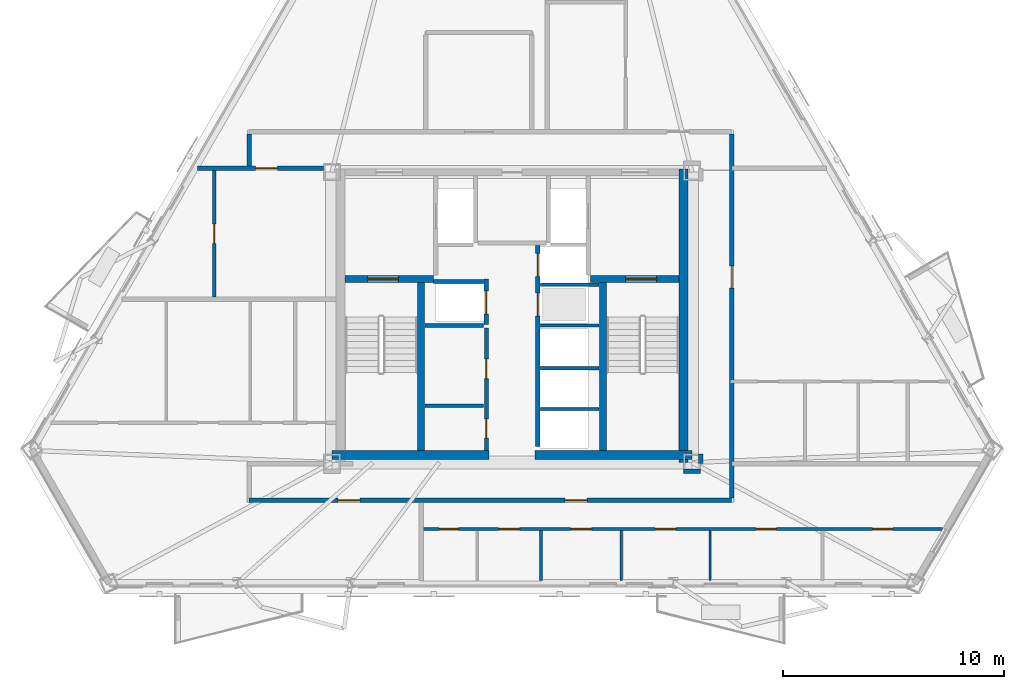
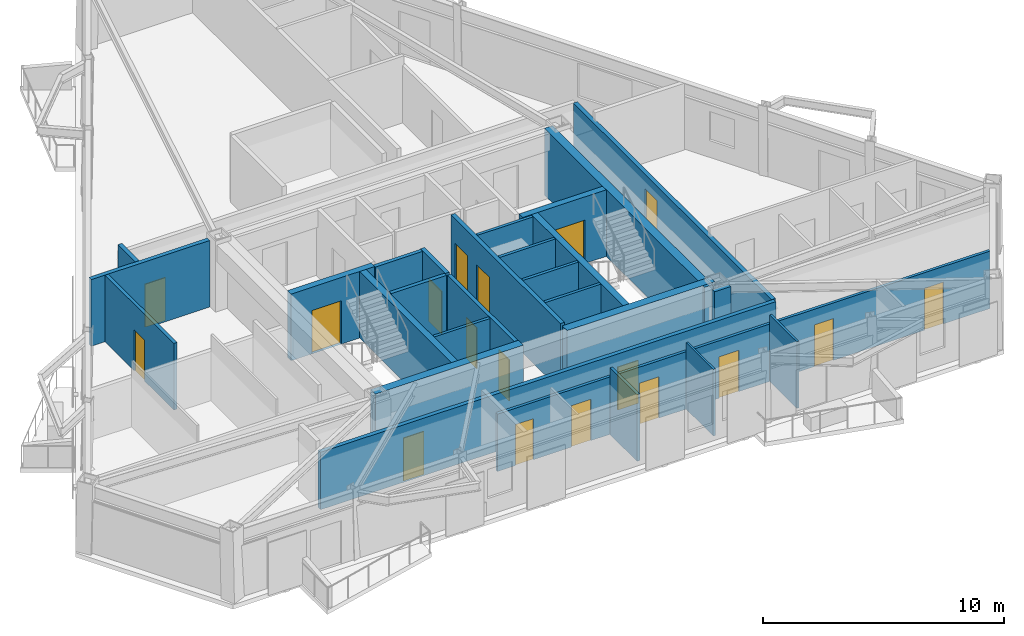
# One storey, part 3 of 10: 28 walls, 18 doors, 18 openings.
"""IFC4 building model written with IfcOpenShell, lengths in metres."""

import ifcopenshell
import ifcopenshell.guid

model = None  # the IFC model being written
_history = None  # IfcOwnerHistory: only IFC2X3 demands one
_inside = {}  # id of a spatial element -> (the spatial element, [elements in it])
_under = {}  # id of a project, library or spatial element -> (it, [spatial elements below it])
_declared = {}  # id of a project -> (the project, [libraries it declares])
_typed = {}  # id of a type object -> (the type object, [elements of that type])
_made_of = {}  # id of a material, layer set ... -> (it, [elements and type objects made of it])


def new_model(schema):
    """Start an empty IFC model of exactly this schema.

    Asked for "IFC4X3", IfcOpenShell would pick the latest addendum, in which some entities
    have other attributes; the version numbers below select the first issue.
    IFC2X3 requires an IfcOwnerHistory on every rooted entity: one is made here for all.
    """
    global model, _history
    if schema == "IFC4X3":
        model = ifcopenshell.file(schema_version=(4, 3, 0, 0))
    else:
        model = ifcopenshell.file(schema=schema)
    _inside.clear()
    _under.clear()
    _declared.clear()
    _typed.clear()
    _made_of.clear()
    _history = None
    if model.schema == "IFC2X3":
        org = make("IfcOrganization", Name="unknown")
        user = make(
            "IfcPersonAndOrganization",
            ThePerson=make("IfcPerson", FamilyName="unknown"),
            TheOrganization=org,
        )
        app = make(
            "IfcApplication",
            ApplicationDeveloper=org,
            Version="unknown",
            ApplicationFullName="unknown",
            ApplicationIdentifier="unknown",
        )
        _history = make(
            "IfcOwnerHistory",
            OwningUser=user,
            OwningApplication=app,
            ChangeAction="ADDED",
            CreationDate=0,
        )
    return model


def make(cls, **values):
    """One entity of the class cls with the attributes given. An attribute that is None is left unset."""
    return model.create_entity(
        cls, **{name: value for name, value in values.items() if value is not None}
    )


def rooted(cls, **values):
    """An entity with a GlobalId (a new one), such as an element, a storey or a relation."""
    return make(cls, GlobalId=ifcopenshell.guid.new(), OwnerHistory=_history, **values)


def si_unit(unit_type, name, prefix=None):
    """IfcSIUnit, for example si_unit("LENGTHUNIT", "METRE", prefix="MILLI")."""
    return make("IfcSIUnit", UnitType=unit_type, Prefix=prefix, Name=name)


def assignment(units):
    """IfcUnitAssignment: the units of a project."""
    return None if units is None else make("IfcUnitAssignment", Units=units)


def point(xyz):
    """IfcCartesianPoint."""
    return None if xyz is None else make("IfcCartesianPoint", Coordinates=xyz)


def direction(xyz):
    """IfcDirection."""
    return None if xyz is None else make("IfcDirection", DirectionRatios=xyz)


def frame(location, z_axis=None, x_axis=None):
    """IfcAxis2Placement3D, a coordinate frame: its origin and axes. An axis left out is left unset."""
    return make(
        "IfcAxis2Placement3D",
        Location=point(location),
        Axis=direction(z_axis),
        RefDirection=direction(x_axis),
    )


def frame_2d(location, x_axis=None):
    """IfcAxis2Placement2D, a coordinate frame in the plane: its origin and x axis."""
    return make(
        "IfcAxis2Placement2D", Location=point(location), RefDirection=direction(x_axis)
    )


def origin():
    """The frame at (0, 0, 0) with its axes left unset."""
    return frame((0.0, 0.0, 0.0))


def place(relative_to, where):
    """IfcLocalPlacement: puts the frame where relative to a parent placement (None: the world)."""
    return make(
        "IfcLocalPlacement", PlacementRelTo=relative_to, RelativePlacement=where
    )


def context(
    kind, dimensions, precision=None, world=None, true_north=None, identifier=None
):
    """IfcGeometricRepresentationContext, for example the 3D "Model" context."""
    return make(
        "IfcGeometricRepresentationContext",
        ContextIdentifier=identifier,
        ContextType=kind,
        CoordinateSpaceDimension=dimensions,
        Precision=precision,
        WorldCoordinateSystem=world,
        TrueNorth=true_north,
    )


def subcontext(parent, identifier, kind, view, scale=None):
    """IfcGeometricRepresentationSubContext, for example "Body" below "Model"."""
    return make(
        "IfcGeometricRepresentationSubContext",
        ContextIdentifier=identifier,
        ContextType=kind,
        ParentContext=parent,
        TargetScale=scale,
        TargetView=view,
    )


def project(units=None, contexts=None):
    """IfcProject with its units and contexts."""
    return rooted(
        "IfcProject",
        Name="project",
        RepresentationContexts=contexts,
        UnitsInContext=assignment(units),
    )


def spatial(cls, under=None, at=None, **own):
    """A site, building, storey or space (cls), placed at a placement, below another one or the project."""
    s = rooted(cls, ObjectPlacement=at, **own)
    if under is not None:
        _under.setdefault(under.id(), (under, []))[1].append(s)
    return s


def profile(cls, at=None, kind="AREA", **sizes):
    """A parametric profile (cls). Its sizes go by their IFC names, for example OverallWidth=200.0."""
    return make(cls, ProfileType=kind, Position=at, **sizes)


def rectangle(**sizes):
    """IfcRectangleProfileDef."""
    return profile("IfcRectangleProfileDef", **sizes)


def extrude(swept, where, along, depth):
    """IfcExtrudedAreaSolid: the profile swept, set in the frame where, extruded along a direction by depth."""
    return make(
        "IfcExtrudedAreaSolid",
        SweptArea=swept,
        Position=where,
        ExtrudedDirection=direction(along),
        Depth=depth,
    )


def shape(context_of_items, identifier, shape_type, items):
    """IfcShapeRepresentation: the items that make up one representation, for example the "Body"."""
    return make(
        "IfcShapeRepresentation",
        ContextOfItems=context_of_items,
        RepresentationIdentifier=identifier,
        RepresentationType=shape_type,
        Items=items,
    )


def material(Name=None, Category=None):
    """IfcMaterial."""
    return make("IfcMaterial", Name=Name, Category=Category)


def layer(
    of_material, thickness, ventilated=None, Name=None, Category=None, Priority=None
):
    """IfcMaterialLayer: one layer of a wall or slab, of a material (None: an air gap)."""
    return make(
        "IfcMaterialLayer",
        Material=of_material,
        LayerThickness=thickness,
        IsVentilated=ventilated,
        Name=Name,
        Category=Category,
        Priority=Priority,
    )


def layer_set(layers, Name=None):
    """IfcMaterialLayerSet."""
    return make("IfcMaterialLayerSet", MaterialLayers=layers, LayerSetName=Name)


def made_of(thing, what):
    """Note that an element or type object is made of a material, layer set ...; save() writes the relation."""
    if what is not None:
        _made_of.setdefault(what.id(), (what, []))[1].append(thing)
    return thing


def type_object(cls, material=None, **own):
    """A type object (cls), such as IfcWallType, which elements share."""
    return made_of(rooted(cls, **own), material)


def element(
    cls,
    number,
    at=None,
    inside=None,
    cuts=None,
    type_object=None,
    material=None,
    context=None,
    identifier="Body",
    shape_type=None,
    held_by="IfcProductDefinitionShape",
    body=None,
    shapes=None,
    **own,
):
    """One element of the class cls, such as IfcWall. Its Tag is "e" and its number.

    at: its placement. inside: the storey or other place that contains it. cuts: it is an
    opening in that element (IfcRelVoidsElement). A single representation is given by context,
    identifier, shape_type and body (its items); several are given by shapes. held_by: the class
    of the entity that holds the representations. save() writes the other relations.
    """
    e = rooted(cls, Tag="e%d" % number, ObjectPlacement=at, **own)
    if body is not None:
        shapes = [shape(context, identifier, shape_type, body)]
    if shapes is not None:
        e.Representation = make(held_by, Representations=shapes)
    if inside is not None:
        _inside.setdefault(inside.id(), (inside, []))[1].append(e)
    if cuts is not None:
        rooted(
            "IfcRelVoidsElement", RelatingBuildingElement=cuts, RelatedOpeningElement=e
        )
    if type_object is not None:
        _typed.setdefault(type_object.id(), (type_object, []))[1].append(e)
    return made_of(e, material)


def fill(opening, filler):
    """IfcRelFillsElement: the door or window that sits in an opening."""
    return rooted(
        "IfcRelFillsElement",
        RelatingOpeningElement=opening,
        RelatedBuildingElement=filler,
    )


def aggregate(whole, parts):
    """IfcRelAggregates: a whole, such as a stair, and the parts it consists of."""
    return rooted("IfcRelAggregates", RelatingObject=whole, RelatedObjects=parts)


def save(model, path):
    """Write the relations noted so far, then the file.

    IfcRelAggregates (storeys below a building ...), IfcRelContainedInSpatialStructure (elements
    in a storey), IfcRelDefinesByType, IfcRelAssociatesMaterial and IfcRelDeclares: one each for
    every whole, place, type object, material and project.
    """
    for whole, parts in _under.values():
        aggregate(whole, parts)
    for where, things in _inside.values():
        rooted(
            "IfcRelContainedInSpatialStructure",
            RelatedElements=things,
            RelatingStructure=where,
        )
    for kind, things in _typed.values():
        rooted("IfcRelDefinesByType", RelatedObjects=things, RelatingType=kind)
    for what, things in _made_of.values():
        rooted("IfcRelAssociatesMaterial", RelatedObjects=things, RelatingMaterial=what)
    for by, libraries in _declared.values():
        rooted("IfcRelDeclares", RelatingContext=by, RelatedDefinitions=libraries)
    model.write(path)


model = new_model("IFC4")

# Units and contexts
model_context = context("Model", 3, precision=1e-05, world=origin(), true_north=direction((0.0, 1.0)))
body_context = subcontext(model_context, "Body", "Model", "MODEL_VIEW")
ifc_project = project(units=[si_unit("LENGTHUNIT", "METRE"), si_unit("AREAUNIT", "SQUARE_METRE"), si_unit("VOLUMEUNIT", "CUBIC_METRE"), si_unit("PLANEANGLEUNIT", "RADIAN"), si_unit("MASSUNIT", "GRAM", prefix="KILO")], contexts=[model_context])

# Site, building, storey
site_placement = place(None, origin())
site = spatial("IfcSite", under=ifc_project, at=site_placement, CompositionType="ELEMENT")
building_placement = place(site_placement, origin())
building = spatial("IfcBuilding", under=site, at=building_placement, Name="Oramaril Tower", CompositionType="ELEMENT")
storey_placement = place(building_placement, frame((0.0, 0.0, 209.10009765625)))
storey = spatial("IfcBuildingStorey", under=building, at=storey_placement, Name="L55", CompositionType="ELEMENT", Elevation=209.10009765625)

# Walls
ifc_material_1 = material(Name="Acoustic Gypsum Board Partition")
ifc_layer_1 = layer(ifc_material_1, 0.10009765625)
ifc_layer_set_1 = layer_set([ifc_layer_1], Name="WT-PT10")
wall_type_1 = type_object("IfcWallType", Name="WT-PT10", PredefinedType="PARTITIONING", material=ifc_layer_set_1)
for number, where, z_axis, x_axis, name in (
    (1, (42.449951171875, 5.666259765625, 0.0), (0.0, 0.0, 1.0), (0.0, 1.0, 0.0), "L55 Interior Partition PT-10"),
    (2, (46.4599609375, 5.666259765625, 0.0), (0.0, 0.0, 1.0), (0.0, 1.0, 0.0), "L55 Interior Partition PT-10"),
):
    element("IfcWall", number, at=place(storey_placement, frame(where, z_axis=z_axis, x_axis=x_axis)), inside=storey, type_object=wall_type_1, Name=name, PredefinedType="PARTITIONING", context=body_context, shape_type="SweptSolid", body=[
        extrude(rectangle(XDim=2.249755859375, YDim=0.10009765625, at=frame_2d((1.125, 0.0))), origin(), (0.0, 0.0, 1.0), 3.3798828125),
    ])
ifc_material_2 = material(Name="Acoustic Gypsum Board Partition")
ifc_layer_2 = layer(ifc_material_2, 0.139892578125)
ifc_layer_set_2 = layer_set([ifc_layer_2], Name="WT-PT14")
wall_type_2 = type_object("IfcWallType", Name="WT-PT14", PredefinedType="PARTITIONING", material=ifc_layer_set_2)
for number, where, z_axis, x_axis, name in (
    (3, (33.56005859375, 13.570068359375, 0.0), (0.0, 0.0, 1.0), (1.0, 0.0, 0.0), "L55 Freed Shaft Divider"),
    (4, (38.780029296875, 13.419921875, 0.0), (0.0, 0.0, 1.0), (1.0, 0.0, 0.0), "L55 East Lift Divider"),
    (5, (38.780029296875, 15.27001953125, 0.0), (0.0, 0.0, 1.0), (1.0, 0.0, 0.0), "L55 East Lift Divider"),
    (6, (38.780029296875, 17.199951171875, 0.0), (0.0, 0.0, 1.0), (1.0, 0.0, 0.0), "L55 East Lift Divider"),
    (7, (38.780029296875, 19.050048828125, 0.0), (0.0, 0.0, 1.0), (1.0, 0.0, 0.0), "L55 East Lift Divider"),
):
    element("IfcWall", number, at=place(storey_placement, frame(where, z_axis=z_axis, x_axis=x_axis)), inside=storey, type_object=wall_type_2, Name=name, PredefinedType="PARTITIONING", context=body_context, shape_type="SweptSolid", body=[
        extrude(rectangle(XDim=2.659912109375, YDim=0.139892578125, at=frame_2d((1.330078125, 0.0))), origin(), (0.0, 0.0, 1.0), 3.3798828125),
    ])

# Wall, openings, doors
wall_1_placement = place(storey_placement, frame((33.35009765625, 7.989990234375, 0.0), z_axis=(0.0, 0.0, 1.0), x_axis=(1.0, 0.0, 0.0)))
wall_1 = element("IfcWall", 8, at=wall_1_placement, inside=storey, type_object=wall_type_2, Name="L55 Interior Partition PT-14", PredefinedType="PARTITIONING", context=body_context, shape_type="SweptSolid", body=[
    extrude(rectangle(XDim=23.638671875, YDim=0.139892578125, at=frame_2d((11.8193359375, 0.0))), origin(), (0.0, 0.0, 1.0), 2.912841796875),
])
opening_1_placement = place(wall_1_placement, frame((0.85498046875, 0.0, 0.0)))
opening_1 = element("IfcOpeningElement", 9, at=opening_1_placement, cuts=wall_1, Name="Opening D-L55-01", PredefinedType="OPENING", context=body_context, shape_type="SweptSolid", body=[
    extrude(rectangle(XDim=0.8798828125, YDim=2.080078125, at=frame_2d((0.43994140625, 1.0400390625))), frame((0.0, 0.06982421875, 0.0), z_axis=(0.0, -1.0, 0.0), x_axis=(1.0, 0.0, 0.0)), (0.0, 0.0, 1.0), 0.139892578125),
])
opening_2_placement = place(wall_1_placement, frame((3.541748046875, 0.0, 0.0)))
opening_2 = element("IfcOpeningElement", 10, at=opening_2_placement, cuts=wall_1, Name="Opening D-L55-02", PredefinedType="OPENING", context=body_context, shape_type="SweptSolid", body=[
    extrude(rectangle(XDim=0.949951171875, YDim=2.10009765625, at=frame_2d((0.47509765625, 1.050048828125))), frame((0.0, 0.06982421875, 0.0), z_axis=(0.0, -1.0, 0.0), x_axis=(1.0, 0.0, 0.0)), (0.0, 0.0, 1.0), 0.139892578125),
])
opening_3_placement = place(wall_1_placement, frame((6.80908203125, 0.0, 0.0)))
opening_3 = element("IfcOpeningElement", 11, at=opening_3_placement, cuts=wall_1, Name="Opening D-L55-03", PredefinedType="OPENING", context=body_context, shape_type="SweptSolid", body=[
    extrude(rectangle(XDim=0.949951171875, YDim=2.10009765625, at=frame_2d((0.47509765625, 1.050048828125))), frame((0.0, 0.06982421875, 0.0), z_axis=(0.0, -1.0, 0.0), x_axis=(1.0, 0.0, 0.0)), (0.0, 0.0, 1.0), 0.139892578125),
])
opening_4_placement = place(wall_1_placement, frame((10.632080078125, 0.0, 0.0)))
opening_4 = element("IfcOpeningElement", 12, at=opening_4_placement, cuts=wall_1, Name="Opening D-L55-04", PredefinedType="OPENING", context=body_context, shape_type="SweptSolid", body=[
    extrude(rectangle(XDim=0.949951171875, YDim=2.10009765625, at=frame_2d((0.47509765625, 1.050048828125))), frame((0.0, 0.06982421875, 0.0), z_axis=(0.0, -1.0, 0.0), x_axis=(1.0, 0.0, 0.0)), (0.0, 0.0, 1.0), 0.139892578125),
])
opening_5_placement = place(wall_1_placement, frame((15.198486328125, 0.0, 0.0)))
opening_5 = element("IfcOpeningElement", 13, at=opening_5_placement, cuts=wall_1, Name="Opening D-L55-05", PredefinedType="OPENING", context=body_context, shape_type="SweptSolid", body=[
    extrude(rectangle(XDim=0.919921875, YDim=2.1201171875, at=frame_2d((0.4599609375, 1.06005859375))), frame((0.0, 0.06982421875, 0.0), z_axis=(0.0, -1.0, 0.0), x_axis=(1.0, 0.0, 0.0)), (0.0, 0.0, 1.0), 0.139892578125),
])
opening_6_placement = place(wall_1_placement, frame((20.477783203125, 0.0, 0.0)))
opening_6 = element("IfcOpeningElement", 14, at=opening_6_placement, cuts=wall_1, Name="Opening D-L55-06", PredefinedType="OPENING", context=body_context, shape_type="SweptSolid", body=[
    extrude(rectangle(XDim=0.919921875, YDim=2.1201171875, at=frame_2d((0.4599609375, 1.06005859375))), frame((0.0, 0.06982421875, 0.0), z_axis=(0.0, -1.0, 0.0), x_axis=(1.0, 0.0, 0.0)), (0.0, 0.0, 1.0), 0.139892578125),
])
ifc_material_3 = material(Name="FSC Brazilian Freijo Hardwood", Category="wood")
door_type_1 = type_object("IfcDoorType", Name="DT-BATH", OperationType="NOTDEFINED", PredefinedType="DOOR", material=ifc_material_3)
door_1_placement = place(opening_1_placement, origin())
door_1 = element("IfcDoor", 15, at=door_1_placement, inside=storey, type_object=door_type_1, Name="L55 Flat L55-U1 Bathroom Door D-L55-01", OperationType="SINGLE_SWING_LEFT", OverallHeight=2.080078125, OverallWidth=0.8798828125, PredefinedType="DOOR", context=body_context, shape_type="SweptSolid", body=[
    extrude(rectangle(XDim=0.8798828125, YDim=2.080078125, at=frame_2d((0.43994140625, 1.0400390625))), frame((0.0, 0.02490234375, 0.0), z_axis=(0.0, -1.0, 0.0), x_axis=(1.0, 0.0, 0.0)), (0.0, 0.0, 1.0), 0.050048828125),
])
fill(opening_1, door_1)
ifc_material_4 = material(Name="FSC Brazilian Freijo Hardwood", Category="wood")
door_type_2 = type_object("IfcDoorType", Name="DT-BED", OperationType="NOTDEFINED", PredefinedType="DOOR", material=ifc_material_4)
door_2_placement = place(opening_5_placement, origin())
door_2 = element("IfcDoor", 16, at=door_2_placement, inside=storey, type_object=door_type_2, Name="L55 Flat L55-U1 Bedroom 2 Door D-L55-05", OperationType="SINGLE_SWING_LEFT", OverallHeight=2.1201171875, OverallWidth=0.919921875, PredefinedType="DOOR", context=body_context, shape_type="SweptSolid", body=[
    extrude(rectangle(XDim=0.919921875, YDim=2.1201171875, at=frame_2d((0.4599609375, 1.06005859375))), frame((0.0, 0.02490234375, 0.0), z_axis=(0.0, -1.0, 0.0), x_axis=(1.0, 0.0, 0.0)), (0.0, 0.0, 1.0), 0.050048828125),
])
fill(opening_5, door_2)
door_3_placement = place(opening_6_placement, origin())
door_3 = element("IfcDoor", 17, at=door_3_placement, inside=storey, type_object=door_type_2, Name="L55 Flat L55-U1 Master Bedroom Door D-L55-06", OperationType="SINGLE_SWING_RIGHT", OverallHeight=2.1201171875, OverallWidth=0.919921875, PredefinedType="DOOR", context=body_context, shape_type="SweptSolid", body=[
    extrude(rectangle(XDim=0.919921875, YDim=2.1201171875, at=frame_2d((0.4599609375, 1.06005859375))), frame((0.0, 0.02490234375, 0.0), z_axis=(0.0, -1.0, 0.0), x_axis=(1.0, 0.0, 0.0)), (0.0, 0.0, 1.0), 0.050048828125),
])
fill(opening_6, door_3)
ifc_material_5 = material(Name="FSC Brazilian Freijo Hardwood", Category="wood")
door_type_3 = type_object("IfcDoorType", Name="DT-STDY", OperationType="NOTDEFINED", PredefinedType="DOOR", material=ifc_material_5)
door_4_placement = place(opening_2_placement, origin())
door_4 = element("IfcDoor", 18, at=door_4_placement, inside=storey, type_object=door_type_3, Name="L55 Flat L55-U1 Kitchen Door D-L55-02", OperationType="SINGLE_SWING_RIGHT", OverallHeight=2.10009765625, OverallWidth=0.949951171875, PredefinedType="DOOR", context=body_context, shape_type="SweptSolid", body=[
    extrude(rectangle(XDim=0.949951171875, YDim=2.10009765625, at=frame_2d((0.47509765625, 1.050048828125))), frame((0.0, 0.02490234375, 0.0), z_axis=(0.0, -1.0, 0.0), x_axis=(1.0, 0.0, 0.0)), (0.0, 0.0, 1.0), 0.050048828125),
])
fill(opening_2, door_4)
door_5_placement = place(opening_3_placement, origin())
door_5 = element("IfcDoor", 19, at=door_5_placement, inside=storey, type_object=door_type_3, Name="L55 Flat L55-U1 Private Dining Room Door D-L55-03", OperationType="SINGLE_SWING_LEFT", OverallHeight=2.10009765625, OverallWidth=0.949951171875, PredefinedType="DOOR", context=body_context, shape_type="SweptSolid", body=[
    extrude(rectangle(XDim=0.949951171875, YDim=2.10009765625, at=frame_2d((0.47509765625, 1.050048828125))), frame((0.0, 0.02490234375, 0.0), z_axis=(0.0, -1.0, 0.0), x_axis=(1.0, 0.0, 0.0)), (0.0, 0.0, 1.0), 0.050048828125),
])
fill(opening_3, door_5)
door_6_placement = place(opening_4_placement, origin())
door_6 = element("IfcDoor", 20, at=door_6_placement, inside=storey, type_object=door_type_3, Name="L55 Flat L55-U1 Reading Study Door D-L55-04", OperationType="SINGLE_SWING_RIGHT", OverallHeight=2.10009765625, OverallWidth=0.949951171875, PredefinedType="DOOR", context=body_context, shape_type="SweptSolid", body=[
    extrude(rectangle(XDim=0.949951171875, YDim=2.10009765625, at=frame_2d((0.47509765625, 1.050048828125))), frame((0.0, 0.02490234375, 0.0), z_axis=(0.0, -1.0, 0.0), x_axis=(1.0, 0.0, 0.0)), (0.0, 0.0, 1.0), 0.050048828125),
])
fill(opening_4, door_6)

# Wall
wall_2_placement = place(storey_placement, frame((38.81005859375, 5.666259765625, 0.0), z_axis=(0.0, 0.0, 1.0), x_axis=(0.0, 1.0, 0.0)))
element("IfcWall", 21, at=wall_2_placement, inside=storey, type_object=wall_type_2, Name="L55 Interior Partition PT-14", PredefinedType="PARTITIONING", context=body_context, shape_type="SweptSolid", body=[
    extrude(rectangle(XDim=2.249755859375, YDim=0.139892578125, at=frame_2d((1.125, 0.0))), origin(), (0.0, 0.0, 1.0), 3.3798828125),
])

# Wall, opening, door
ifc_material_6 = material(Name="Acoustic Gypsum Board Partition")
ifc_layer_3 = layer(ifc_material_6, 0.159912109375)
ifc_layer_set_3 = layer_set([ifc_layer_3], Name="WT-PT16")
wall_type_3 = type_object("IfcWallType", Name="WT-PT16", PredefinedType="PARTITIONING", material=ifc_layer_set_3)
wall_3_placement = place(storey_placement, frame((24.010009765625, 18.50390625, 0.0), z_axis=(0.0, 0.0, 1.0), x_axis=(0.0, 1.0, 0.0)))
wall_3 = element("IfcWall", 22, at=wall_3_placement, inside=storey, type_object=wall_type_3, Name="L55 Interior Partition PT-16", PredefinedType="PARTITIONING", context=body_context, shape_type="SweptSolid", body=[
    extrude(rectangle(XDim=5.712158203125, YDim=0.159912109375, at=frame_2d((2.85595703125, 0.0))), origin(), (0.0, 0.0, 1.0), 3.3798828125),
])
opening_7_placement = place(wall_3_placement, frame((2.416015625, 0.0, 0.0)))
opening_7 = element("IfcOpeningElement", 23, at=opening_7_placement, cuts=wall_3, Name="Opening D-L55-20", PredefinedType="OPENING", context=body_context, shape_type="SweptSolid", body=[
    extrude(rectangle(XDim=0.8798828125, YDim=2.080078125, at=frame_2d((0.43994140625, 1.0400390625))), frame((0.0, 0.080078125, 0.0), z_axis=(0.0, -1.0, 0.0), x_axis=(1.0, 0.0, 0.0)), (0.0, 0.0, 1.0), 0.159912109375),
])
door_7_placement = place(opening_7_placement, origin())
door_7 = element("IfcDoor", 24, at=door_7_placement, inside=storey, type_object=door_type_1, Name="L55 Flat L55-U3 Bathroom Door D-L55-20", OperationType="SINGLE_SWING_RIGHT", OverallHeight=2.080078125, OverallWidth=0.8798828125, PredefinedType="DOOR", context=body_context, shape_type="SweptSolid", body=[
    extrude(rectangle(XDim=0.8798828125, YDim=2.080078125, at=frame_2d((0.43994140625, 1.0400390625))), frame((0.0, 0.02490234375, 0.0), z_axis=(0.0, -1.0, 0.0), x_axis=(1.0, 0.0, 0.0)), (0.0, 0.0, 1.0), 0.050048828125),
])
fill(opening_7, door_7)

# Walls
ifc_material_7 = material(Name="Autoclaved Cellular Concrete Block", Category="concrete")
ifc_layer_4 = layer(ifc_material_7, 0.179931640625)
ifc_layer_set_4 = layer_set([ifc_layer_4], Name="WT-PT18")
wall_type_4 = type_object("IfcWallType", Name="WT-PT18", PredefinedType="PARTITIONING", material=ifc_layer_set_4)
wall_4_placement = place(storey_placement, frame((33.949951171875, 19.199951171875, 0.0), z_axis=(0.0, 0.0, 1.0), x_axis=(1.0, 0.0, 0.0)))
element("IfcWall", 25, at=wall_4_placement, inside=storey, type_object=wall_type_4, Name="L55 High-Rise Lift H1 North Shaft Wall", PredefinedType="PARTITIONING", context=body_context, shape_type="SweptSolid", body=[
    extrude(rectangle(XDim=2.27001953125, YDim=0.179931640625, at=frame_2d((1.135009765625, 0.0))), origin(), (0.0, 0.0, 1.0), 3.3798828125),
])
wall_5_placement = place(storey_placement, frame((33.56005859375, 17.199951171875, 0.0), z_axis=(0.0, 0.0, 1.0), x_axis=(1.0, 0.0, 0.0)))
element("IfcWall", 26, at=wall_5_placement, inside=storey, type_object=wall_type_4, Name="L55 High-Rise Lift H1 South Wall", PredefinedType="PARTITIONING", context=body_context, shape_type="SweptSolid", body=[
    extrude(rectangle(XDim=2.659912109375, YDim=0.179931640625, at=frame_2d((1.330078125, 0.0))), origin(), (0.0, 0.0, 1.0), 3.3798828125),
])

# Wall, openings, doors
wall_6_placement = place(storey_placement, frame((36.340087890625, 11.550048828125, 0.0), z_axis=(0.0, 0.0, 1.0), x_axis=(0.0, 1.0, 0.0)))
wall_6 = element("IfcWall", 27, at=wall_6_placement, inside=storey, type_object=wall_type_4, Name="L55 Freed Shaft Study East Wall", PredefinedType="PARTITIONING", context=body_context, shape_type="SweptSolid", body=[
    extrude(rectangle(XDim=5.550048828125, YDim=0.179931640625, at=frame_2d((2.77490234375, 0.0))), origin(), (0.0, 0.0, 1.0), 3.3798828125),
])
opening_8_placement = place(wall_6_placement, frame((0.550048828125, 0.0, 0.0)))
opening_8 = element("IfcOpeningElement", 28, at=opening_8_placement, cuts=wall_6, Name="Opening D-L55-FL1", PredefinedType="OPENING", context=body_context, shape_type="SweptSolid", body=[
    extrude(rectangle(XDim=0.8798828125, YDim=2.080078125, at=frame_2d((0.43994140625, 1.0400390625))), frame((0.0, 0.08984375, 0.0), z_axis=(0.0, -1.0, 0.0), x_axis=(1.0, 0.0, 0.0)), (0.0, 0.0, 1.0), 0.179931640625),
])
opening_9_placement = place(wall_6_placement, frame((3.25, 0.0, 0.0)))
opening_9 = element("IfcOpeningElement", 29, at=opening_9_placement, cuts=wall_6, Name="Opening D-L55-FL2", PredefinedType="OPENING", context=body_context, shape_type="SweptSolid", body=[
    extrude(rectangle(XDim=0.8798828125, YDim=2.080078125, at=frame_2d((0.43994140625, 1.0400390625))), frame((0.0, 0.08984375, 0.0), z_axis=(0.0, -1.0, 0.0), x_axis=(1.0, 0.0, 0.0)), (0.0, 0.0, 1.0), 0.179931640625),
])
door_8_placement = place(opening_8_placement, origin())
door_8 = element("IfcDoor", 30, at=door_8_placement, inside=storey, type_object=door_type_1, Name="L55 L55 Residents Tasting Dining Nook Door", OperationType="SINGLE_SWING_LEFT", OverallHeight=2.080078125, OverallWidth=0.8798828125, PredefinedType="DOOR", context=body_context, shape_type="SweptSolid", body=[
    extrude(rectangle(XDim=0.8798828125, YDim=2.080078125, at=frame_2d((0.43994140625, 1.0400390625))), frame((0.0, 0.02490234375, 0.0), z_axis=(0.0, -1.0, 0.0), x_axis=(1.0, 0.0, 0.0)), (0.0, 0.0, 1.0), 0.050048828125),
])
fill(opening_8, door_8)
door_9_placement = place(opening_9_placement, origin())
door_9 = element("IfcDoor", 31, at=door_9_placement, inside=storey, type_object=door_type_1, Name="L55 L55 Floor Co-Work Office Door", OperationType="SINGLE_SWING_RIGHT", OverallHeight=2.080078125, OverallWidth=0.8798828125, PredefinedType="DOOR", context=body_context, shape_type="SweptSolid", body=[
    extrude(rectangle(XDim=0.8798828125, YDim=2.080078125, at=frame_2d((0.43994140625, 1.0400390625))), frame((0.0, 0.02490234375, 0.0), z_axis=(0.0, -1.0, 0.0), x_axis=(1.0, 0.0, 0.0)), (0.0, 0.0, 1.0), 0.050048828125),
])
fill(opening_9, door_9)

ifc_material_8 = material(Name="Autoclaved Cellular Concrete Block", Category="concrete")
ifc_layer_5 = layer(ifc_material_8, 0.199951171875)
ifc_layer_set_5 = layer_set([ifc_layer_5], Name="WT-PT20")
wall_type_5 = type_object("IfcWallType", Name="WT-PT20", PredefinedType="PARTITIONING", material=ifc_layer_set_5)
wall_7_placement = place(storey_placement, frame((25.60009765625, 9.300048828125, 0.0), z_axis=(0.0, 0.0, 1.0), x_axis=(1.0, 0.0, 0.0)))
wall_7 = element("IfcWall", 32, at=wall_7_placement, inside=storey, type_object=wall_type_5, Name="L55 Interior Partition PT-20", PredefinedType="PARTITIONING", context=body_context, shape_type="SweptSolid", body=[
    extrude(rectangle(XDim=21.849853515625, YDim=0.199951171875, at=frame_2d((10.9248046875, 0.0))), origin(), (0.0, 0.0, 1.0), 2.912841796875),
])
opening_10_placement = place(wall_7_placement, frame((4.017578125, 0.0, 0.0)))
opening_10 = element("IfcOpeningElement", 33, at=opening_10_placement, cuts=wall_7, Name="Opening D-L55-07", PredefinedType="OPENING", context=body_context, shape_type="SweptSolid", body=[
    extrude(rectangle(XDim=1.0, YDim=2.179931640625, at=frame_2d((0.5, 1.08984375))), frame((0.0, 0.10009765625, 0.0), z_axis=(0.0, -1.0, 0.0), x_axis=(1.0, 0.0, 0.0)), (0.0, 0.0, 1.0), 0.199951171875),
])
opening_11_placement = place(wall_7_placement, frame((14.303955078125, 0.0, 0.0)))
opening_11 = element("IfcOpeningElement", 34, at=opening_11_placement, cuts=wall_7, Name="Opening D-L55-08", PredefinedType="OPENING", context=body_context, shape_type="SweptSolid", body=[
    extrude(rectangle(XDim=1.0, YDim=2.179931640625, at=frame_2d((0.5, 1.08984375))), frame((0.0, 0.10009765625, 0.0), z_axis=(0.0, -1.0, 0.0), x_axis=(1.0, 0.0, 0.0)), (0.0, 0.0, 1.0), 0.199951171875),
])
ifc_material_9 = material(Name="FSC Brazilian Freijo Hardwood", Category="wood")
door_type_4 = type_object("IfcDoorType", Name="DT-APT", OperationType="NOTDEFINED", PredefinedType="DOOR", material=ifc_material_9)
door_10_placement = place(opening_10_placement, origin())
door_10 = element("IfcDoor", 35, at=door_10_placement, inside=storey, type_object=door_type_4, Name="L55 Flat L55-U2 Penthouse Living and Dining Room Door D-L55-07", OperationType="SINGLE_SWING_LEFT", OverallHeight=2.179931640625, OverallWidth=1.0, PredefinedType="DOOR", context=body_context, shape_type="SweptSolid", body=[
    extrude(rectangle(XDim=1.0, YDim=2.179931640625, at=frame_2d((0.5, 1.08984375))), frame((0.0, 0.02490234375, 0.0), z_axis=(0.0, -1.0, 0.0), x_axis=(1.0, 0.0, 0.0)), (0.0, 0.0, 1.0), 0.050048828125),
])
fill(opening_10, door_10)
door_11_placement = place(opening_11_placement, origin())
door_11 = element("IfcDoor", 36, at=door_11_placement, inside=storey, type_object=door_type_4, Name="L55 Flat L55-U1 2-Bedroom Living and Dining Room Door D-L55-08", OperationType="SINGLE_SWING_RIGHT", OverallHeight=2.179931640625, OverallWidth=1.0, PredefinedType="DOOR", context=body_context, shape_type="SweptSolid", body=[
    extrude(rectangle(XDim=1.0, YDim=2.179931640625, at=frame_2d((0.5, 1.08984375))), frame((0.0, 0.02490234375, 0.0), z_axis=(0.0, -1.0, 0.0), x_axis=(1.0, 0.0, 0.0)), (0.0, 0.0, 1.0), 0.050048828125),
])
fill(opening_11, door_11)

# Wall
wall_8_placement = place(storey_placement, frame((45.260009765625, 10.610107421875, 0.0), z_axis=(0.0, 0.0, 1.0), x_axis=(1.0, 0.0, 0.0)))
element("IfcWall", 37, at=wall_8_placement, inside=storey, type_object=wall_type_5, Name="L55 Interior Partition PT-20", PredefinedType="PARTITIONING", context=body_context, shape_type="SweptSolid", body=[
    extrude(rectangle(XDim=0.780029296875, YDim=0.199951171875, at=frame_2d((0.39013671875, 0.0))), origin(), (0.0, 0.0, 1.0), 3.3798828125),
])

# Wall, opening, door
wall_9_placement = place(storey_placement, frame((23.27001953125, 24.320068359375, 0.0), z_axis=(0.0, 0.0, 1.0), x_axis=(1.0, 0.0, 0.0)))
wall_9 = element("IfcWall", 38, at=wall_9_placement, inside=storey, type_object=wall_type_5, Name="L55 Interior Partition PT-20", PredefinedType="PARTITIONING", context=body_context, shape_type="SweptSolid", body=[
    extrude(rectangle(XDim=5.68994140625, YDim=0.199951171875, at=frame_2d((2.844970703125, 0.0))), origin(), (0.0, 0.0, 1.0), 3.3798828125),
])
opening_12_placement = place(wall_9_placement, frame((2.618408203125, 0.0, 0.0)))
opening_12 = element("IfcOpeningElement", 39, at=opening_12_placement, cuts=wall_9, Name="Opening D-L55-17", PredefinedType="OPENING", context=body_context, shape_type="SweptSolid", body=[
    extrude(rectangle(XDim=1.0, YDim=2.179931640625, at=frame_2d((0.5, 1.08984375))), frame((0.0, 0.10009765625, 0.0), z_axis=(0.0, -1.0, 0.0), x_axis=(1.0, 0.0, 0.0)), (0.0, 0.0, 1.0), 0.199951171875),
])
door_12_placement = place(opening_12_placement, origin())
door_12 = element("IfcDoor", 40, at=door_12_placement, inside=storey, type_object=door_type_4, Name="L55 Flat L55-U3 Kitchen and Studio Apartment Door D-L55-17", OperationType="SINGLE_SWING_LEFT", OverallHeight=2.179931640625, OverallWidth=1.0, PredefinedType="DOOR", context=body_context, shape_type="SweptSolid", body=[
    extrude(rectangle(XDim=1.0, YDim=2.179931640625, at=frame_2d((0.5, 1.08984375))), frame((0.0, 0.02490234375, 0.0), z_axis=(0.0, -1.0, 0.0), x_axis=(1.0, 0.0, 0.0)), (0.0, 0.0, 1.0), 0.050048828125),
])
fill(opening_12, door_12)

# Walls
wall_10_placement = place(storey_placement, frame((25.60009765625, 24.424072265625, 0.0), z_axis=(0.0, 0.0, 1.0), x_axis=(0.0, 1.0, 0.0)))
element("IfcWall", 41, at=wall_10_placement, inside=storey, type_object=wall_type_5, Name="L55 Interior Partition PT-20", PredefinedType="PARTITIONING", context=body_context, shape_type="SweptSolid", body=[
    extrude(rectangle(XDim=1.44189453125, YDim=0.199951171875, at=frame_2d((0.720947265625, 0.0))), origin(), (0.0, 0.0, 1.0), 3.3798828125),
])
wall_11_placement = place(storey_placement, frame((46.050048828125, 10.949951171875, 0.0), z_axis=(0.0, 0.0, 1.0), x_axis=(0.0, 1.0, 0.0)))
element("IfcWall", 42, at=wall_11_placement, inside=storey, type_object=wall_type_5, Name="L55 Interior Partition PT-20", PredefinedType="PARTITIONING", context=body_context, shape_type="SweptSolid", body=[
    extrude(rectangle(XDim=0.445068359375, YDim=0.199951171875, at=frame_2d((0.22265625, 0.0))), origin(), (0.0, 0.0, 1.0), 2.912841796875),
])

# Wall, opening, door
wall_12_placement = place(storey_placement, frame((47.449951171875, 9.404052734375, 0.0), z_axis=(0.0, 0.0, 1.0), x_axis=(0.0, 1.0, 0.0)))
wall_12 = element("IfcWall", 43, at=wall_12_placement, inside=storey, type_object=wall_type_5, Name="L55 Interior Partition PT-20", PredefinedType="PARTITIONING", context=body_context, shape_type="SweptSolid", body=[
    extrude(rectangle(XDim=16.4619140625, YDim=0.199951171875, at=frame_2d((8.23095703125, 0.0))), origin(), (0.0, 0.0, 1.0), 2.912841796875),
])
opening_13_placement = place(wall_12_placement, frame((9.49609375, 0.0, 0.0)))
opening_13 = element("IfcOpeningElement", 44, at=opening_13_placement, cuts=wall_12, Name="Opening D-L55-25", PredefinedType="OPENING", context=body_context, shape_type="SweptSolid", body=[
    extrude(rectangle(XDim=1.0, YDim=2.179931640625, at=frame_2d((0.5, 1.08984375))), frame((0.0, 0.10009765625, 0.0), z_axis=(0.0, -1.0, 0.0), x_axis=(1.0, 0.0, 0.0)), (0.0, 0.0, 1.0), 0.199951171875),
])
door_13_placement = place(opening_13_placement, origin())
door_13 = element("IfcDoor", 45, at=door_13_placement, inside=storey, type_object=door_type_4, Name="L55 Flat L55-U4 Penthouse Living and Dining Room Door D-L55-25", OperationType="SINGLE_SWING_LEFT", OverallHeight=2.179931640625, OverallWidth=1.0, PredefinedType="DOOR", context=body_context, shape_type="SweptSolid", body=[
    extrude(rectangle(XDim=1.0, YDim=2.179931640625, at=frame_2d((0.5, 1.08984375))), frame((0.0, 0.02490234375, 0.0), z_axis=(0.0, -1.0, 0.0), x_axis=(1.0, 0.0, 0.0)), (0.0, 0.0, 1.0), 0.050048828125),
])
fill(opening_13, door_13)

ifc_material_10 = material(Name="Concrete C50/60", Category="concrete")
ifc_layer_6 = layer(ifc_material_10, 0.300048828125)
ifc_layer_set_6 = layer_set([ifc_layer_6], Name="WT-SH30")
wall_type_6 = type_object("IfcWallType", Name="WT-SH30", PredefinedType="SHEAR", material=ifc_layer_set_6)
wall_13_placement = place(storey_placement, frame((29.93994140625, 19.31005859375, 0.0), z_axis=(0.0, 0.0, 1.0), x_axis=(1.0, 0.0, 0.0)))
wall_13 = element("IfcWall", 46, at=wall_13_placement, inside=storey, type_object=wall_type_6, Name="L55 Core Shear Wall CW-ST1N", PredefinedType="SHEAR", context=body_context, shape_type="SweptSolid", body=[
    extrude(rectangle(XDim=4.010009765625, YDim=0.300048828125, at=frame_2d((2.0048828125, 0.0))), origin(), (0.0, 0.0, 1.0), 3.3798828125),
])
opening_14_placement = place(wall_13_placement, frame((1.010009765625, 0.0, 0.0)))
opening_14 = element("IfcOpeningElement", 47, at=opening_14_placement, cuts=wall_13, Name="Opening D-L55-ST1", PredefinedType="OPENING", context=body_context, shape_type="SweptSolid", body=[
    extrude(rectangle(XDim=1.39990234375, YDim=2.199951171875, at=frame_2d((0.699951171875, 1.10009765625))), frame((0.0, 0.14990234375, 0.0), z_axis=(0.0, -1.0, 0.0), x_axis=(1.0, 0.0, 0.0)), (0.0, 0.0, 1.0), 0.300048828125),
])
ifc_material_11 = material(Name="Painted Galvanised Steel", Category="steel")
door_type_5 = type_object("IfcDoorType", Name="DT-ST", OperationType="NOTDEFINED", PredefinedType="DOOR", material=ifc_material_11)
door_14_placement = place(opening_14_placement, origin())
door_14 = element("IfcDoor", 48, at=door_14_placement, inside=storey, type_object=door_type_5, Name="L55 Protected Stair ST-1 Fire Door", OperationType="SINGLE_SWING_LEFT", OverallHeight=2.199951171875, OverallWidth=1.39990234375, PredefinedType="DOOR", context=body_context, shape_type="SweptSolid", body=[
    extrude(rectangle(XDim=1.39990234375, YDim=2.199951171875, at=frame_2d((0.699951171875, 1.10009765625))), frame((0.0, 0.02490234375, 0.0), z_axis=(0.0, -1.0, 0.0), x_axis=(1.0, 0.0, 0.0)), (0.0, 0.0, 1.0), 0.050048828125),
])
fill(opening_14, door_14)

wall_14_placement = place(storey_placement, frame((41.050048828125, 19.31005859375, 0.0), z_axis=(0.0, 0.0, 1.0), x_axis=(1.0, 0.0, 0.0)))
wall_14 = element("IfcWall", 49, at=wall_14_placement, inside=storey, type_object=wall_type_6, Name="L55 Core Shear Wall CW-ST2N", PredefinedType="SHEAR", context=body_context, shape_type="SweptSolid", body=[
    extrude(rectangle(XDim=4.010009765625, YDim=0.300048828125, at=frame_2d((2.0048828125, 0.0))), origin(), (0.0, 0.0, 1.0), 3.3798828125),
])
opening_15_placement = place(wall_14_placement, frame((1.60009765625, 0.0, 0.0)))
opening_15 = element("IfcOpeningElement", 50, at=opening_15_placement, cuts=wall_14, Name="Opening D-L55-ST2", PredefinedType="OPENING", context=body_context, shape_type="SweptSolid", body=[
    extrude(rectangle(XDim=1.39990234375, YDim=2.199951171875, at=frame_2d((0.699951171875, 1.10009765625))), frame((0.0, 0.14990234375, 0.0), z_axis=(0.0, -1.0, 0.0), x_axis=(1.0, 0.0, 0.0)), (0.0, 0.0, 1.0), 0.300048828125),
])
door_15_placement = place(opening_15_placement, origin())
door_15 = element("IfcDoor", 51, at=door_15_placement, inside=storey, type_object=door_type_5, Name="L55 Protected Stair ST-2 Fire Door", OperationType="SINGLE_SWING_RIGHT", OverallHeight=2.199951171875, OverallWidth=1.39990234375, PredefinedType="DOOR", context=body_context, shape_type="SweptSolid", body=[
    extrude(rectangle(XDim=1.39990234375, YDim=2.199951171875, at=frame_2d((0.699951171875, 1.10009765625))), frame((0.0, 0.02490234375, 0.0), z_axis=(0.0, -1.0, 0.0), x_axis=(1.0, 0.0, 0.0)), (0.0, 0.0, 1.0), 0.050048828125),
])
fill(opening_15, door_15)

# Walls
for number, where, z_axis, x_axis, name in (
    (52, (33.3798828125, 11.5400390625, 0.0), (0.0, 0.0, 1.0), (0.0, 1.0, 0.0), "L55 Core Shear Wall CW-ST1E"),
    (53, (41.6201171875, 11.5400390625, 0.0), (0.0, 0.0, 1.0), (0.0, 1.0, 0.0), "L55 Core Shear Wall CW-ST2W"),
):
    element("IfcWall", number, at=place(storey_placement, frame(where, z_axis=z_axis, x_axis=x_axis)), inside=storey, type_object=wall_type_6, Name=name, PredefinedType="SHEAR", context=body_context, shape_type="SweptSolid", body=[
        extrude(rectangle(XDim=7.619873046875, YDim=0.300048828125, at=frame_2d((3.81005859375, 0.0))), origin(), (0.0, 0.0, 1.0), 3.3798828125),
    ])
ifc_material_12 = material(Name="Concrete C50/60", Category="concrete")
ifc_layer_7 = layer(ifc_material_12, 0.39990234375)
ifc_layer_set_7 = layer_set([ifc_layer_7], Name="WT-SH40")
wall_type_7 = type_object("IfcWallType", Name="WT-SH40", PredefinedType="SHEAR", material=ifc_layer_set_7)
wall_15_placement = place(storey_placement, frame((45.260009765625, 11.0, 0.0), z_axis=(0.0, 0.0, 1.0), x_axis=(0.0, 1.0, 0.0)))
element("IfcWall", 54, at=wall_15_placement, inside=storey, type_object=wall_type_7, Name="L55 Core Shear Wall CW-E", PredefinedType="SHEAR", context=body_context, shape_type="SweptSolid", body=[
    extrude(rectangle(XDim=13.300048828125, YDim=0.39990234375, at=frame_2d((6.64990234375, 0.0))), origin(), (0.0, 0.0, 1.0), 3.3798828125),
])
for number, where, z_axis, x_axis, name in (
    (55, (29.35009765625, 11.340087890625, 0.0), (0.0, 0.0, 1.0), (1.0, 0.0, 0.0), "L55 Core Shear Wall CW-SW"),
    (56, (38.550048828125, 11.340087890625, 0.0), (0.0, 0.0, 1.0), (1.0, 0.0, 0.0), "L55 Core Shear Wall CW-SE"),
):
    element("IfcWall", number, at=place(storey_placement, frame(where, z_axis=z_axis, x_axis=x_axis)), inside=storey, type_object=wall_type_7, Name=name, PredefinedType="SHEAR", context=body_context, shape_type="SweptSolid", body=[
        extrude(rectangle(XDim=7.099853515625, YDim=0.39990234375, at=frame_2d((3.5498046875, 0.0))), origin(), (0.0, 0.0, 1.0), 3.3798828125),
    ])

# Wall, opening, door
ifc_material_13 = material(Name="Autoclaved Cellular Concrete Block", Category="concrete")
ifc_layer_8 = layer(ifc_material_13, 0.199951171875)
ifc_layer_set_8 = layer_set([ifc_layer_8], Name="WT-SHF20")
wall_type_8 = type_object("IfcWallType", Name="WT-SHF20", PredefinedType="PARTITIONING", material=ifc_layer_set_8)
wall_16_placement = place(storey_placement, frame((36.340087890625, 17.25, 0.0), z_axis=(0.0, 0.0, 1.0), x_axis=(0.0, 1.0, 0.0)))
wall_16 = element("IfcWall", 57, at=wall_16_placement, inside=storey, type_object=wall_type_8, Name="L55 High-Rise Lift H1 Front Wall", PredefinedType="PARTITIONING", context=body_context, shape_type="SweptSolid", body=[
    extrude(rectangle(XDim=2.070068359375, YDim=0.199951171875, at=frame_2d((1.03515625, 0.0))), origin(), (0.0, 0.0, 1.0), 3.3798828125),
])
opening_16_placement = place(wall_16_placement, frame((0.47509765625, 0.0, 0.0)))
opening_16 = element("IfcOpeningElement", 58, at=opening_16_placement, cuts=wall_16, Name="Opening LD-L55-LP-H1", PredefinedType="OPENING", context=body_context, shape_type="SweptSolid", body=[
    extrude(rectangle(XDim=1.050048828125, YDim=2.14990234375, at=frame_2d((0.52490234375, 1.074951171875))), frame((0.0, 0.10009765625, 0.0), z_axis=(0.0, -1.0, 0.0), x_axis=(1.0, 0.0, 0.0)), (0.0, 0.0, 1.0), 0.199951171875),
])
ifc_material_14 = material(Name="Stainless Steel 316L", Category="steel")
door_type_6 = type_object("IfcDoorType", Name="DT-LD2", OperationType="NOTDEFINED", PredefinedType="DOOR", material=ifc_material_14)
door_16_placement = place(opening_16_placement, origin())
door_16 = element("IfcDoor", 59, at=door_16_placement, inside=storey, type_object=door_type_6, Name="L55 Lift LP-H1 Sliding Landing Door", OperationType="SLIDING_TO_LEFT", OverallHeight=2.14990234375, OverallWidth=1.050048828125, PredefinedType="DOOR", context=body_context, shape_type="SweptSolid", body=[
    extrude(rectangle(XDim=1.050048828125, YDim=2.14990234375, at=frame_2d((0.52490234375, 1.074951171875))), frame((0.0, 0.02490234375, 0.0), z_axis=(0.0, -1.0, 0.0), x_axis=(1.0, 0.0, 0.0)), (0.0, 0.0, 1.0), 0.050048828125),
])
fill(opening_16, door_16)

# Wall, openings, doors
wall_17_placement = place(storey_placement, frame((38.659912109375, 11.719970703125, 0.0), z_axis=(0.0, 0.0, 1.0), x_axis=(0.0, 1.0, 0.0)))
wall_17 = element("IfcWall", 60, at=wall_17_placement, inside=storey, type_object=wall_type_8, Name="L55 East Lift Bank Front Wall", PredefinedType="PARTITIONING", context=body_context, shape_type="SweptSolid", body=[
    extrude(rectangle(XDim=9.10009765625, YDim=0.199951171875, at=frame_2d((4.550048828125, 0.0))), origin(), (0.0, 0.0, 1.0), 3.3798828125),
])
opening_17_placement = place(wall_17_placement, frame((5.905029296875, 0.0, 0.0)))
opening_17 = element("IfcOpeningElement", 61, at=opening_17_placement, cuts=wall_17, Name="Opening LD-L55-LP-H2", PredefinedType="OPENING", context=body_context, shape_type="SweptSolid", body=[
    extrude(rectangle(XDim=1.050048828125, YDim=2.14990234375, at=frame_2d((0.52490234375, 1.074951171875))), frame((0.0, 0.10009765625, 0.0), z_axis=(0.0, -1.0, 0.0), x_axis=(1.0, 0.0, 0.0)), (0.0, 0.0, 1.0), 0.199951171875),
])
opening_18_placement = place(wall_17_placement, frame((7.705078125, 0.0, 0.0)))
opening_18 = element("IfcOpeningElement", 62, at=opening_18_placement, cuts=wall_17, Name="Opening LD-L55-LP-H3", PredefinedType="OPENING", context=body_context, shape_type="SweptSolid", body=[
    extrude(rectangle(XDim=1.050048828125, YDim=2.14990234375, at=frame_2d((0.52490234375, 1.074951171875))), frame((0.0, 0.10009765625, 0.0), z_axis=(0.0, -1.0, 0.0), x_axis=(1.0, 0.0, 0.0)), (0.0, 0.0, 1.0), 0.199951171875),
])
door_17_placement = place(opening_17_placement, origin())
door_17 = element("IfcDoor", 63, at=door_17_placement, inside=storey, type_object=door_type_6, Name="L55 Lift LP-H2 Sliding Landing Door", OperationType="SLIDING_TO_RIGHT", OverallHeight=2.14990234375, OverallWidth=1.050048828125, PredefinedType="DOOR", context=body_context, shape_type="SweptSolid", body=[
    extrude(rectangle(XDim=1.050048828125, YDim=2.14990234375, at=frame_2d((0.52490234375, 1.074951171875))), frame((0.0, 0.02490234375, 0.0), z_axis=(0.0, -1.0, 0.0), x_axis=(1.0, 0.0, 0.0)), (0.0, 0.0, 1.0), 0.050048828125),
])
fill(opening_17, door_17)
door_18_placement = place(opening_18_placement, origin())
door_18 = element("IfcDoor", 64, at=door_18_placement, inside=storey, type_object=door_type_6, Name="L55 Lift LP-H3 Sliding Landing Door", OperationType="SLIDING_TO_LEFT", OverallHeight=2.14990234375, OverallWidth=1.050048828125, PredefinedType="DOOR", context=body_context, shape_type="SweptSolid", body=[
    extrude(rectangle(XDim=1.050048828125, YDim=2.14990234375, at=frame_2d((0.52490234375, 1.074951171875))), frame((0.0, 0.02490234375, 0.0), z_axis=(0.0, -1.0, 0.0), x_axis=(1.0, 0.0, 0.0)), (0.0, 0.0, 1.0), 0.050048828125),
])
fill(opening_18, door_18)

save(model, "model.ifc")
